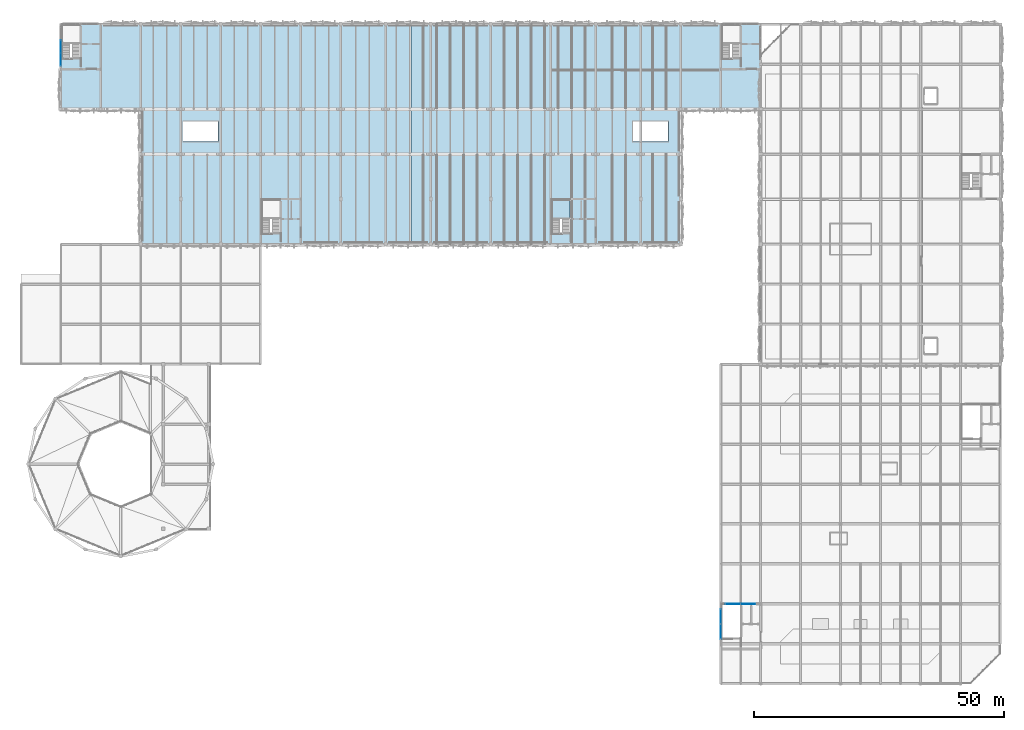
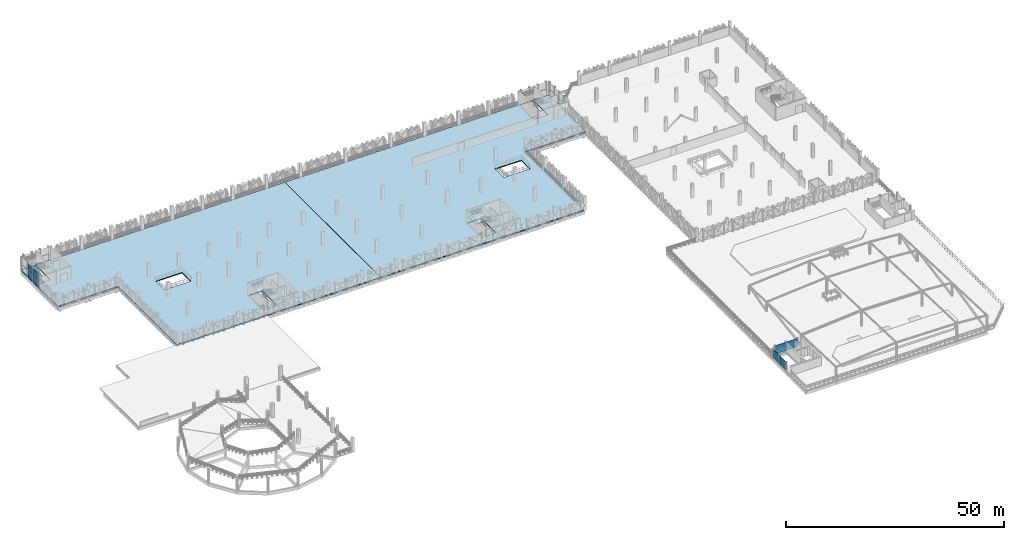
# One storey, part 31 of 76: 8 plates, 3 slabs, 4 elements without a shape of their own.
"""IFC4 building model written with IfcOpenShell, lengths in metres."""

import ifcopenshell
import ifcopenshell.guid

model = None  # the IFC model being written
_history = None  # IfcOwnerHistory: only IFC2X3 demands one
_inside = {}  # id of a spatial element -> (the spatial element, [elements in it])
_under = {}  # id of a project, library or spatial element -> (it, [spatial elements below it])
_declared = {}  # id of a project -> (the project, [libraries it declares])
_typed = {}  # id of a type object -> (the type object, [elements of that type])
_made_of = {}  # id of a material, layer set ... -> (it, [elements and type objects made of it])


def new_model(schema):
    """Start an empty IFC model of exactly this schema.

    Asked for "IFC4X3", IfcOpenShell would pick the latest addendum, in which some entities
    have other attributes; the version numbers below select the first issue.
    IFC2X3 requires an IfcOwnerHistory on every rooted entity: one is made here for all.
    """
    global model, _history
    if schema == "IFC4X3":
        model = ifcopenshell.file(schema_version=(4, 3, 0, 0))
    else:
        model = ifcopenshell.file(schema=schema)
    _inside.clear()
    _under.clear()
    _declared.clear()
    _typed.clear()
    _made_of.clear()
    _history = None
    if model.schema == "IFC2X3":
        org = make("IfcOrganization", Name="unknown")
        user = make(
            "IfcPersonAndOrganization",
            ThePerson=make("IfcPerson", FamilyName="unknown"),
            TheOrganization=org,
        )
        app = make(
            "IfcApplication",
            ApplicationDeveloper=org,
            Version="unknown",
            ApplicationFullName="unknown",
            ApplicationIdentifier="unknown",
        )
        _history = make(
            "IfcOwnerHistory",
            OwningUser=user,
            OwningApplication=app,
            ChangeAction="ADDED",
            CreationDate=0,
        )
    return model


def make(cls, **values):
    """One entity of the class cls with the attributes given. An attribute that is None is left unset."""
    return model.create_entity(
        cls, **{name: value for name, value in values.items() if value is not None}
    )


def rooted(cls, **values):
    """An entity with a GlobalId (a new one), such as an element, a storey or a relation."""
    return make(cls, GlobalId=ifcopenshell.guid.new(), OwnerHistory=_history, **values)


def si_unit(unit_type, name, prefix=None):
    """IfcSIUnit, for example si_unit("LENGTHUNIT", "METRE", prefix="MILLI")."""
    return make("IfcSIUnit", UnitType=unit_type, Prefix=prefix, Name=name)


def derived_unit(unit_type, elements):
    """IfcDerivedUnit: a product of units, each with its exponent."""
    return make(
        "IfcDerivedUnit",
        Elements=[
            make("IfcDerivedUnitElement", Unit=unit, Exponent=power)
            for unit, power in elements
        ],
        UnitType=unit_type,
    )


def assignment(units):
    """IfcUnitAssignment: the units of a project."""
    return None if units is None else make("IfcUnitAssignment", Units=units)


def point(xyz):
    """IfcCartesianPoint."""
    return None if xyz is None else make("IfcCartesianPoint", Coordinates=xyz)


def direction(xyz):
    """IfcDirection."""
    return None if xyz is None else make("IfcDirection", DirectionRatios=xyz)


def frame(location, z_axis=None, x_axis=None):
    """IfcAxis2Placement3D, a coordinate frame: its origin and axes. An axis left out is left unset."""
    return make(
        "IfcAxis2Placement3D",
        Location=point(location),
        Axis=direction(z_axis),
        RefDirection=direction(x_axis),
    )


def frame_2d(location, x_axis=None):
    """IfcAxis2Placement2D, a coordinate frame in the plane: its origin and x axis."""
    return make(
        "IfcAxis2Placement2D", Location=point(location), RefDirection=direction(x_axis)
    )


def origin():
    """The frame at (0, 0, 0) with its axes left unset."""
    return frame((0.0, 0.0, 0.0))


def origin_2d():
    """The frame at (0, 0) in the plane with its x axis left unset."""
    return frame_2d((0.0, 0.0))


def place(relative_to, where):
    """IfcLocalPlacement: puts the frame where relative to a parent placement (None: the world)."""
    return make(
        "IfcLocalPlacement", PlacementRelTo=relative_to, RelativePlacement=where
    )


def context(
    kind, dimensions, precision=None, world=None, true_north=None, identifier=None
):
    """IfcGeometricRepresentationContext, for example the 3D "Model" context."""
    return make(
        "IfcGeometricRepresentationContext",
        ContextIdentifier=identifier,
        ContextType=kind,
        CoordinateSpaceDimension=dimensions,
        Precision=precision,
        WorldCoordinateSystem=world,
        TrueNorth=true_north,
    )


def subcontext(parent, identifier, kind, view, scale=None):
    """IfcGeometricRepresentationSubContext, for example "Body" below "Model"."""
    return make(
        "IfcGeometricRepresentationSubContext",
        ContextIdentifier=identifier,
        ContextType=kind,
        ParentContext=parent,
        TargetScale=scale,
        TargetView=view,
    )


def project(units=None, contexts=None):
    """IfcProject with its units and contexts."""
    return rooted(
        "IfcProject",
        Name="project",
        RepresentationContexts=contexts,
        UnitsInContext=assignment(units),
    )


def spatial(cls, under=None, at=None, **own):
    """A site, building, storey or space (cls), placed at a placement, below another one or the project."""
    s = rooted(cls, ObjectPlacement=at, **own)
    if under is not None:
        _under.setdefault(under.id(), (under, []))[1].append(s)
    return s


def polyline(points):
    """IfcPolyline through the points."""
    return make("IfcPolyline", Points=[point(p) for p in points])


def profile(cls, at=None, kind="AREA", **sizes):
    """A parametric profile (cls). Its sizes go by their IFC names, for example OverallWidth=200.0."""
    return make(cls, ProfileType=kind, Position=at, **sizes)


def rectangle(**sizes):
    """IfcRectangleProfileDef."""
    return profile("IfcRectangleProfileDef", **sizes)


def outline(outer, holes=None, kind="AREA"):
    """IfcArbitraryClosedProfileDef: a profile drawn as a closed curve; with holes, ...WithVoids."""
    if holes is None:
        return make("IfcArbitraryClosedProfileDef", ProfileType=kind, OuterCurve=outer)
    return make(
        "IfcArbitraryProfileDefWithVoids",
        ProfileType=kind,
        OuterCurve=outer,
        InnerCurves=holes,
    )


def extrude(swept, where, along, depth):
    """IfcExtrudedAreaSolid: the profile swept, set in the frame where, extruded along a direction by depth."""
    return make(
        "IfcExtrudedAreaSolid",
        SweptArea=swept,
        Position=where,
        ExtrudedDirection=direction(along),
        Depth=depth,
    )


def shape(context_of_items, identifier, shape_type, items):
    """IfcShapeRepresentation: the items that make up one representation, for example the "Body"."""
    return make(
        "IfcShapeRepresentation",
        ContextOfItems=context_of_items,
        RepresentationIdentifier=identifier,
        RepresentationType=shape_type,
        Items=items,
    )


def material(Name=None, Category=None):
    """IfcMaterial."""
    return make("IfcMaterial", Name=Name, Category=Category)


def layer(
    of_material, thickness, ventilated=None, Name=None, Category=None, Priority=None
):
    """IfcMaterialLayer: one layer of a wall or slab, of a material (None: an air gap)."""
    return make(
        "IfcMaterialLayer",
        Material=of_material,
        LayerThickness=thickness,
        IsVentilated=ventilated,
        Name=Name,
        Category=Category,
        Priority=Priority,
    )


def layer_set(layers, Name=None):
    """IfcMaterialLayerSet."""
    return make("IfcMaterialLayerSet", MaterialLayers=layers, LayerSetName=Name)


def made_of(thing, what):
    """Note that an element or type object is made of a material, layer set ...; save() writes the relation."""
    if what is not None:
        _made_of.setdefault(what.id(), (what, []))[1].append(thing)
    return thing


def type_object(cls, material=None, **own):
    """A type object (cls), such as IfcWallType, which elements share."""
    return made_of(rooted(cls, **own), material)


def element(
    cls,
    number,
    at=None,
    inside=None,
    cuts=None,
    type_object=None,
    material=None,
    context=None,
    identifier="Body",
    shape_type=None,
    held_by="IfcProductDefinitionShape",
    body=None,
    shapes=None,
    **own,
):
    """One element of the class cls, such as IfcWall. Its Tag is "e" and its number.

    at: its placement. inside: the storey or other place that contains it. cuts: it is an
    opening in that element (IfcRelVoidsElement). A single representation is given by context,
    identifier, shape_type and body (its items); several are given by shapes. held_by: the class
    of the entity that holds the representations. save() writes the other relations.
    """
    e = rooted(cls, Tag="e%d" % number, ObjectPlacement=at, **own)
    if body is not None:
        shapes = [shape(context, identifier, shape_type, body)]
    if shapes is not None:
        e.Representation = make(held_by, Representations=shapes)
    if inside is not None:
        _inside.setdefault(inside.id(), (inside, []))[1].append(e)
    if cuts is not None:
        rooted(
            "IfcRelVoidsElement", RelatingBuildingElement=cuts, RelatedOpeningElement=e
        )
    if type_object is not None:
        _typed.setdefault(type_object.id(), (type_object, []))[1].append(e)
    return made_of(e, material)


def aggregate(whole, parts):
    """IfcRelAggregates: a whole, such as a stair, and the parts it consists of."""
    return rooted("IfcRelAggregates", RelatingObject=whole, RelatedObjects=parts)


def save(model, path):
    """Write the relations noted so far, then the file.

    IfcRelAggregates (storeys below a building ...), IfcRelContainedInSpatialStructure (elements
    in a storey), IfcRelDefinesByType, IfcRelAssociatesMaterial and IfcRelDeclares: one each for
    every whole, place, type object, material and project.
    """
    for whole, parts in _under.values():
        aggregate(whole, parts)
    for where, things in _inside.values():
        rooted(
            "IfcRelContainedInSpatialStructure",
            RelatedElements=things,
            RelatingStructure=where,
        )
    for kind, things in _typed.values():
        rooted("IfcRelDefinesByType", RelatedObjects=things, RelatingType=kind)
    for what, things in _made_of.values():
        rooted("IfcRelAssociatesMaterial", RelatedObjects=things, RelatingMaterial=what)
    for by, libraries in _declared.values():
        rooted("IfcRelDeclares", RelatingContext=by, RelatedDefinitions=libraries)
    model.write(path)


model = new_model("IFC4")

# Units and contexts
model_context = context("Model", 3, precision=1e-05, world=origin(), true_north=direction((0.0, 1.0)))
body_context = subcontext(model_context, "Body", "Model", "MODEL_VIEW")
ifc_project = project(units=[si_unit("LENGTHUNIT", "METRE"), si_unit("AREAUNIT", "SQUARE_METRE"), si_unit("VOLUMEUNIT", "CUBIC_METRE"), si_unit("PLANEANGLEUNIT", "RADIAN"), si_unit("MASSUNIT", "GRAM", prefix="KILO"), si_unit("THERMODYNAMICTEMPERATUREUNIT", "KELVIN"), derived_unit("THERMALTRANSMITTANCEUNIT", [(si_unit("POWERUNIT", "WATT"), 1), (si_unit("AREAUNIT", "SQUARE_METRE"), -1), (si_unit("THERMODYNAMICTEMPERATUREUNIT", "KELVIN"), -1)])], contexts=[model_context])

# Site, building, storey
site_placement = place(None, origin())
site = spatial("IfcSite", under=ifc_project, at=site_placement, CompositionType="ELEMENT")
building_placement = place(site_placement, origin())
building = spatial("IfcBuilding", under=site, at=building_placement, Name="Haiyu Intermodal Mobility Hub", CompositionType="ELEMENT")
storey_placement = place(building_placement, frame((0.0, 0.0, 17.300048828125)))
storey = spatial("IfcBuildingStorey", under=building, at=storey_placement, Name="L04", CompositionType="ELEMENT", Elevation=17.300048828125)

# Curtain wall, plates
ifc_material_1 = material(Name="Low-e laminated insulating glass", Category="glass")
ifc_layer_1 = layer(ifc_material_1, 0.199951171875)
ifc_layer_set_1 = layer_set([ifc_layer_1], Name="Low-e laminated insulating glass")
curtain_wall_type = type_object("IfcCurtainWallType", Name="CW-CW03", PredefinedType="NOTDEFINED", material=ifc_layer_set_1)
curtain_wall_1_placement = place(storey_placement, origin())
curtain_wall_1 = element("IfcCurtainWall", 1, at=curtain_wall_1_placement, inside=storey, type_object=curtain_wall_type, Name="Curtain Wall CW-C3S-L04-058", PredefinedType="NOTDEFINED")
ifc_layer_2 = layer(ifc_material_1, 0.0400390625)
ifc_layer_set_2 = layer_set([ifc_layer_2], Name="Low-e laminated insulating glass")
plate_type_1 = type_object("IfcPlateType", Name="PLT-CP03", PredefinedType="CURTAIN_PANEL", material=ifc_layer_set_2)
plate_1_placement = place(storey_placement, frame((22.0, 143.5, 0.03466796875), z_axis=(0.0, 0.0, 1.0), x_axis=(0.0, -1.0, 0.0)))
plate_1 = element("IfcPlate", 2, at=plate_1_placement, type_object=plate_type_1, Name="CW-C3S-L04-058-PN03", PredefinedType="CURTAIN_PANEL", context=body_context, shape_type="SweptSolid", body=[
    extrude(rectangle(XDim=2.469970703125, YDim=0.0400390625, at=origin_2d()), origin(), (0.0, 0.0, 1.0), 1.840087890625),
])
plate_2_placement = place(storey_placement, frame((22.0, 140.93994140625, 0.03466796875), z_axis=(0.0, 0.0, 1.0), x_axis=(0.0, -1.0, 0.0)))
plate_2 = element("IfcPlate", 3, at=plate_2_placement, type_object=plate_type_1, Name="CW-C3S-L04-058-PN05", PredefinedType="CURTAIN_PANEL", context=body_context, shape_type="SweptSolid", body=[
    extrude(rectangle(XDim=2.469970703125, YDim=0.0400390625, at=origin_2d()), origin(), (0.0, 0.0, 1.0), 1.840087890625),
])

curtain_wall_2_placement = place(storey_placement, origin())
curtain_wall_2 = element("IfcCurtainWall", 4, at=curtain_wall_2_placement, inside=storey, type_object=curtain_wall_type, Name="Curtain Wall CW-CPAR-C8-N", PredefinedType="NOTDEFINED")
plate_3_placement = place(storey_placement, frame((159.5048828125, 32.0, 0.034423828125), z_axis=(0.0, 0.0, 1.0), x_axis=(-1.0, 0.0, 0.0)))
plate_3 = element("IfcPlate", 5, at=plate_3_placement, type_object=plate_type_1, Name="CW-CPAR-C8-N-PN01", PredefinedType="CURTAIN_PANEL", context=body_context, shape_type="SweptSolid", body=[
    extrude(rectangle(XDim=2.919921875, YDim=0.0400390625, at=origin_2d()), origin(), (0.0, 0.0, 1.0), 2.35107421875),
])
plate_4_placement = place(storey_placement, frame((156.4951171875, 32.0, 0.034423828125), z_axis=(0.0, 0.0, 1.0), x_axis=(-1.0, 0.0, 0.0)))
plate_4 = element("IfcPlate", 6, at=plate_4_placement, type_object=plate_type_1, Name="CW-CPAR-C8-N-PN02", PredefinedType="CURTAIN_PANEL", context=body_context, shape_type="SweptSolid", body=[
    extrude(rectangle(XDim=2.919921875, YDim=0.0400390625, at=origin_2d()), origin(), (0.0, 0.0, 1.0), 2.35107421875),
])
aggregate(curtain_wall_2, [plate_3, plate_4])

curtain_wall_3_placement = place(storey_placement, origin())
curtain_wall_3 = element("IfcCurtainWall", 7, at=curtain_wall_3_placement, inside=storey, type_object=curtain_wall_type, Name="Curtain Wall CW-CPAR-C8-W", PredefinedType="NOTDEFINED")
plate_5_placement = place(storey_placement, frame((154.0, 29.491943359375, 0.034423828125), z_axis=(0.0, 0.0, 1.0), x_axis=(0.0, -1.0, 0.0)))
plate_5 = element("IfcPlate", 8, at=plate_5_placement, type_object=plate_type_1, Name="CW-CPAR-C8-W-PN01", PredefinedType="CURTAIN_PANEL", context=body_context, shape_type="SweptSolid", body=[
    extrude(rectangle(XDim=2.945068359375, YDim=0.0400390625, at=origin_2d()), origin(), (0.0, 0.0, 1.0), 2.35107421875),
])
plate_6_placement = place(storey_placement, frame((154.0, 26.4580078125, 0.034423828125), z_axis=(0.0, 0.0, 1.0), x_axis=(0.0, -1.0, 0.0)))
plate_6 = element("IfcPlate", 9, at=plate_6_placement, type_object=plate_type_1, Name="CW-CPAR-C8-W-PN02", PredefinedType="CURTAIN_PANEL", context=body_context, shape_type="SweptSolid", body=[
    extrude(rectangle(XDim=2.945068359375, YDim=0.0400390625, at=origin_2d()), origin(), (0.0, 0.0, 1.0), 2.35107421875),
])
aggregate(curtain_wall_3, [plate_5, plate_6])

# Plate
ifc_layer_3 = layer(ifc_material_1, 0.0439453125)
ifc_layer_set_3 = layer_set([ifc_layer_3], Name="Low-e laminated insulating glass")
plate_type_2 = type_object("IfcPlateType", Name="PLT-CP04", PredefinedType="CURTAIN_PANEL", material=ifc_layer_set_3)
plate_7_placement = place(storey_placement, frame((22.0, 143.5, 1.94482421875), z_axis=(0.0, 0.0, 1.0), x_axis=(0.0, -1.0, 0.0)))
plate_7 = element("IfcPlate", 10, at=plate_7_placement, type_object=plate_type_2, Name="CW-C3S-L04-058-PN04", PredefinedType="CURTAIN_PANEL", context=body_context, shape_type="SweptSolid", body=[
    extrude(rectangle(XDim=2.469970703125, YDim=0.0439453125, at=origin_2d()), origin(), (0.0, 0.0, 1.0), 1.840087890625),
])

plate_8_placement = place(storey_placement, frame((22.0, 140.93994140625, 1.94482421875), z_axis=(0.0, 0.0, 1.0), x_axis=(0.0, -1.0, 0.0)))
plate_8 = element("IfcPlate", 11, at=plate_8_placement, type_object=plate_type_2, Name="CW-C3S-L04-058-PN06", PredefinedType="CURTAIN_PANEL", context=body_context, shape_type="SweptSolid", body=[
    extrude(rectangle(XDim=2.469970703125, YDim=0.0439453125, at=origin_2d()), origin(), (0.0, 0.0, 1.0), 1.840087890625),
])

aggregate(curtain_wall_1, [plate_1, plate_7, plate_2, plate_8])

# Slabs
ifc_material_2 = material(Name="Concrete C40", Category="concrete")
ifc_layer_4 = layer(ifc_material_2, 0.219970703125)
ifc_layer_set_4 = layer_set([ifc_layer_4], Name="Concrete C40")
slab_type_1 = type_object("IfcSlabType", Name="SLB-SL04", PredefinedType="FLOOR", material=ifc_layer_set_4)
slab_1_placement = place(storey_placement, frame((0.0, 0.0, -0.26513671875)))
element("IfcSlab", 12, at=slab_1_placement, inside=storey, type_object=slab_type_1, Name="L04 Precast Parking West Deck", PredefinedType="FLOOR", context=body_context, shape_type="SweptSolid", body=[
    extrude(outline(polyline([(38.0, 104.0), (91.97998046875, 104.0), (91.97998046875, 148.0), (22.0, 148.0), (22.0, 131.0), (38.0, 131.0), (38.0, 104.0)]), holes=[polyline([(22.219970703125, 141.14990234375), (25.85009765625, 141.14990234375), (25.85009765625, 147.949951171875), (22.219970703125, 147.949951171875), (22.219970703125, 141.14990234375)]), polyline([(62.219970703125, 106.14990234375), (65.85009765625, 106.14990234375), (65.85009765625, 112.949951171875), (62.219970703125, 112.949951171875), (62.219970703125, 106.14990234375)]), polyline([(46.5, 124.5), (53.5, 124.5), (53.5, 128.5), (46.5, 128.5), (46.5, 124.5)])]), origin(), (0.0, 0.0, 1.0), 0.26513671875),
])
ifc_layer_5 = layer(ifc_material_2, 0.239990234375)
ifc_layer_set_5 = layer_set([ifc_layer_5], Name="Concrete C40")
slab_type_2 = type_object("IfcSlabType", Name="SLB-SL05", PredefinedType="FLOOR", material=ifc_layer_set_5)
slab_2_placement = place(storey_placement, frame((0.0, 0.0, -0.275146484375)))
element("IfcSlab", 13, at=slab_2_placement, inside=storey, type_object=slab_type_2, Name="L04 Precast Parking & EV East Deck", PredefinedType="FLOOR", context=body_context, shape_type="SweptSolid", body=[
    extrude(outline(polyline([(92.02001953125, 104.0), (146.0, 104.0), (146.0, 131.0), (162.0, 131.0), (162.0, 148.0), (92.02001953125, 148.0), (92.02001953125, 104.0)]), holes=[polyline([(154.219970703125, 141.14990234375), (157.85009765625, 141.14990234375), (157.85009765625, 147.949951171875), (154.219970703125, 147.949951171875), (154.219970703125, 141.14990234375)]), polyline([(120.219970703125, 106.14990234375), (123.85009765625, 106.14990234375), (123.85009765625, 112.949951171875), (120.219970703125, 112.949951171875), (120.219970703125, 106.14990234375)]), polyline([(136.5, 124.5), (143.5, 124.5), (143.5, 128.5), (136.5, 128.5), (136.5, 124.5)])]), origin(), (0.0, 0.0, 1.0), 0.275146484375),
])

# Stair, slab
stair_type = type_object("IfcStairType", Name="STR-ST02", PredefinedType="HALF_TURN_STAIR", material=ifc_material_2)
stair_placement = place(storey_placement, origin())
stair = element("IfcStair", 14, at=stair_placement, inside=storey, type_object=stair_type, Name="Exit Stair ST01 L04", PredefinedType="HALF_TURN_STAIR")
ifc_layer_6 = layer(ifc_material_2, 0.2099609375)
ifc_layer_set_6 = layer_set([ifc_layer_6], Name="Concrete C40")
slab_type_3 = type_object("IfcSlabType", Name="SLB-SL13", PredefinedType="LANDING", material=ifc_layer_set_6)
slab_3_placement = place(storey_placement, frame((0.0, 0.0, 1.739990234375)))
slab_3 = element("IfcSlab", 15, at=slab_3_placement, type_object=slab_type_3, Name="Stair Half-Landing STR-C6-L04-LND", PredefinedType="LANDING", context=body_context, shape_type="SweptSolid", body=[
    extrude(outline(polyline([(120.219970703125, 109.1298828125), (123.8701171875, 109.1298828125), (123.8701171875, 112.780029296875), (120.219970703125, 112.780029296875), (120.219970703125, 109.1298828125)])), origin(), (0.0, 0.0, 1.0), 0.2099609375),
])
aggregate(stair, [slab_3])

save(model, "model.ifc")
